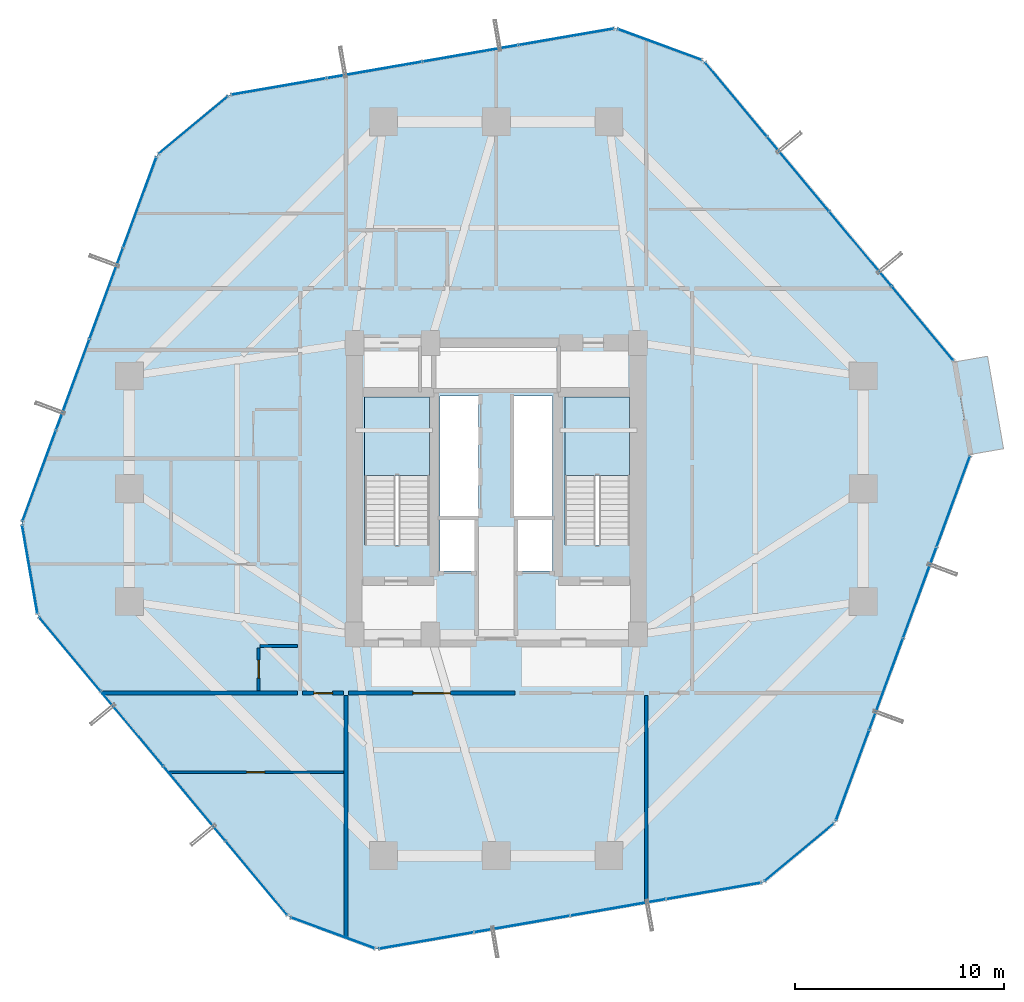
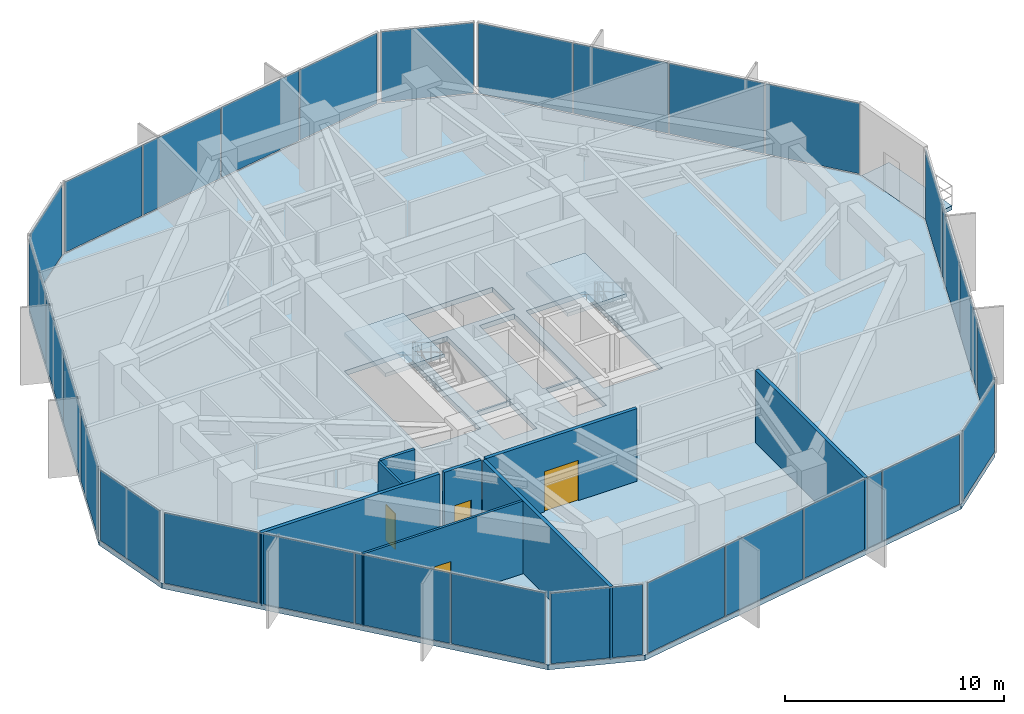
# One storey, part 30 of 35: 29 plates, 8 walls, 4 doors, 4 slabs, 4 openings, 13 elements without a shape of their own.
"""IFC4 building model written with IfcOpenShell, lengths in metres."""

from ifc_helpers import new_model, si_unit, direction, frame, frame_2d, origin, origin_2d, place, context, subcontext, project, spatial, polyline, rectangle, outline, extrude, source, transform, mapped, material, layer, layer_set, type_object, element, fill, aggregate, save


model = new_model("IFC4")

# Units and contexts
model_context = context("Model", 3, precision=1e-05, world=origin(), true_north=direction((0.0, 1.0)))
body_context = subcontext(model_context, "Body", "Model", "MODEL_VIEW")
ifc_project = project(units=[si_unit("LENGTHUNIT", "METRE"), si_unit("AREAUNIT", "SQUARE_METRE"), si_unit("VOLUMEUNIT", "CUBIC_METRE"), si_unit("PLANEANGLEUNIT", "RADIAN"), si_unit("MASSUNIT", "GRAM", prefix="KILO")], contexts=[model_context])

# Site, building, storey
site_placement = place(None, origin())
site = spatial("IfcSite", under=ifc_project, at=site_placement, CompositionType="ELEMENT")
building_placement = place(site_placement, origin())
building = spatial("IfcBuilding", under=site, at=building_placement, Name="Veraguas Prism Commons", CompositionType="ELEMENT")
storey_placement = place(building_placement, frame((0.0, 0.0, 56.550048828125)))
storey = spatial("IfcBuildingStorey", under=building, at=storey_placement, Name="L15", CompositionType="ELEMENT", Elevation=56.550048828125)

# Slab
ifc_material_1 = material(Name="Concrete C45/55", Category="concrete")
ifc_layer_1 = layer(ifc_material_1, 0.280029296875, Name="Community Assembly Floor Slab RC 280", Category="concrete")
ifc_layer_set_1 = layer_set([ifc_layer_1], Name="Concrete C45/55")
slab_type_1 = type_object("IfcSlabType", Name="Community Assembly Floor Slab RC 280", PredefinedType="FLOOR", material=ifc_layer_set_1)
slab_1_placement = place(storey_placement, frame((0.0, 0.0, -0.280029296875)))
element("IfcSlab", 1, at=slab_1_placement, inside=storey, type_object=slab_type_1, Name="Tower Floor Slab L15", PredefinedType="FLOOR", context=body_context, shape_type="SweptSolid", body=[
    extrude(outline(polyline([(46.752685546875, 25.646728515625), (45.98681640625, 30.0810546875), (33.9501953125, 44.52783203125), (29.72705078125, 46.08154296875), (11.197509765625, 42.881103515625), (7.740234375, 40.00048828125), (1.247314453125, 22.353271484375), (2.01318359375, 17.9189453125), (14.0498046875, 3.47216796875), (18.27294921875, 1.91845703125), (36.802490234375, 5.118896484375), (40.259765625, 7.99951171875), (46.752685546875, 25.646728515625)]), holes=[polyline([(20.800048828125, 21.31005859375), (20.800048828125, 28.39990234375), (17.68994140625, 28.39990234375), (17.68994140625, 21.31005859375), (20.800048828125, 21.31005859375)]), polyline([(30.39990234375, 21.31005859375), (30.39990234375, 28.39990234375), (27.2900390625, 28.39990234375), (27.2900390625, 21.31005859375), (30.39990234375, 21.31005859375)]), polyline([(21.300048828125, 22.64990234375), (23.14990234375, 22.64990234375), (23.14990234375, 28.449951171875), (21.300048828125, 28.449951171875), (21.300048828125, 22.64990234375)]), polyline([(24.85009765625, 22.64990234375), (26.699951171875, 22.64990234375), (26.699951171875, 28.449951171875), (24.85009765625, 28.449951171875), (24.85009765625, 22.64990234375)]), polyline([(21.10009765625, 28.800048828125), (26.89990234375, 28.800048828125), (26.89990234375, 30.800048828125), (21.10009765625, 30.800048828125), (21.10009765625, 28.800048828125)]), polyline([(21.300048828125, 20.050048828125), (23.050048828125, 20.050048828125), (23.050048828125, 22.550048828125), (21.300048828125, 22.550048828125), (21.300048828125, 20.050048828125)]), polyline([(24.949951171875, 20.050048828125), (26.699951171875, 20.050048828125), (26.699951171875, 22.550048828125), (24.949951171875, 22.550048828125), (24.949951171875, 20.050048828125)])]), origin(), (0.0, 0.0, 1.0), 0.280029296875),
])

# Stair, slab
ifc_material_2 = material(Name="Precast concrete C45/55", Category="concrete")
stair_type = type_object("IfcStairType", Name="Dogleg Core Stair 1480W 26R 06", PredefinedType="HALF_TURN_STAIR", material=ifc_material_2)
stair_1_placement = place(storey_placement, origin())
stair_1 = element("IfcStair", 2, at=stair_1_placement, inside=storey, type_object=stair_type, Name="Protected Exit Stair ST-01 L15", PredefinedType="HALF_TURN_STAIR")
ifc_layer_2 = layer(ifc_material_2, 0.199951171875, Name="Precast Stair and Ramp Landing Slab 200", Category="concrete")
ifc_layer_set_2 = layer_set([ifc_layer_2], Name="Precast concrete C45/55")
slab_type_2 = type_object("IfcSlabType", Name="Precast Stair and Ramp Landing Slab 200", PredefinedType="LANDING", material=ifc_layer_set_2)
slab_2_placement = place(storey_placement, frame((0.0, 0.0, 1.949951171875)))
slab_2 = element("IfcSlab", 3, at=slab_2_placement, type_object=slab_type_2, Name="ST-06 Landing 1", PredefinedType="LANDING", context=body_context, shape_type="SweptSolid", body=[
    extrude(outline(polyline([(20.800048828125, 24.639892578125), (20.800048828125, 28.39990234375), (17.68994140625, 28.39990234375), (17.68994140625, 24.639892578125), (20.800048828125, 24.639892578125)])), origin(), (0.0, 0.0, 1.0), 0.199951171875),
])
aggregate(stair_1, [slab_2])

stair_2_placement = place(storey_placement, origin())
stair_2 = element("IfcStair", 4, at=stair_2_placement, inside=storey, type_object=stair_type, Name="Protected Exit Stair ST-02 L15", PredefinedType="HALF_TURN_STAIR")
slab_3_placement = place(storey_placement, frame((0.0, 0.0, 1.949951171875)))
slab_3 = element("IfcSlab", 5, at=slab_3_placement, type_object=slab_type_2, Name="ST-06 Landing 1", PredefinedType="LANDING", context=body_context, shape_type="SweptSolid", body=[
    extrude(outline(polyline([(30.39990234375, 24.639892578125), (30.39990234375, 28.39990234375), (27.2900390625, 28.39990234375), (27.2900390625, 24.639892578125), (30.39990234375, 24.639892578125)])), origin(), (0.0, 0.0, 1.0), 0.199951171875),
])
aggregate(stair_2, [slab_3])

# Slab
ifc_layer_3 = layer(ifc_material_1, 0.219970703125, Name="Recessed Loggia and Terrace Slab RC 220", Category="concrete")
ifc_layer_set_3 = layer_set([ifc_layer_3], Name="Concrete C45/55")
slab_type_3 = type_object("IfcSlabType", Name="Recessed Loggia and Terrace Slab RC 220", PredefinedType="FLOOR", material=ifc_layer_set_3)
slab_4_placement = place(storey_placement, frame((0.0, 0.0, -0.219970703125)))
element("IfcSlab", 6, at=slab_4_placement, inside=storey, type_object=slab_type_3, Name="Recessed Corner Loggia L15-C1", PredefinedType="FLOOR", context=body_context, shape_type="SweptSolid", body=[
    extrude(outline(polyline([(46.73291015625, 25.643310546875), (48.329345703125, 25.919189453125), (47.563232421875, 30.353515625), (45.967041015625, 30.07763671875), (46.73291015625, 25.643310546875)])), origin(), (0.0, 0.0, 1.0), 0.219970703125),
])

# Curtain wall, plates
ifc_material_3 = material(Name="Anodised aluminium EN AW-6063 T6", Category="aluminium")
ifc_layer_4 = layer(ifc_material_3, 0.199951171875, Name="Sky Lobby and Pool Acoustic Curtain Wall", Category="aluminium")
ifc_layer_set_4 = layer_set([ifc_layer_4], Name="Anodised aluminium EN AW-6063 T6")
curtain_wall_type = type_object("IfcCurtainWallType", Name="Sky Lobby and Pool Acoustic Curtain Wall", PredefinedType="NOTDEFINED", material=ifc_layer_set_4)
curtain_wall_1_placement = place(storey_placement, origin())
curtain_wall_1 = element("IfcCurtainWall", 7, at=curtain_wall_1_placement, inside=storey, type_object=curtain_wall_type, Name="Tower Facade Curtain Wall L15-F1", PredefinedType="NOTDEFINED")
ifc_material_4 = material(Name="Laminated low-e glass", Category="glass")
ifc_layer_5 = layer(ifc_material_4, 0.031982421875, Name="Concourse Acoustic Triple Glazed Panel 32", Category="glass")
ifc_layer_set_5 = layer_set([ifc_layer_5], Name="Laminated low-e glass")
plate_type = type_object("IfcPlateType", Name="Concourse Acoustic Triple Glazed Panel 32", PredefinedType="CURTAIN_PANEL", material=ifc_layer_set_5)
shared_shape_1 = source(origin(), body_context, "Body", "SweptSolid", [
    extrude(rectangle(XDim=4.573486328125, YDim=0.031982421875, at=origin_2d()), origin(), (0.0, 0.0, 1.0), 3.929931640625),
])
plate_1_placement = place(storey_placement, frame((44.44287109375, 31.93408203125, 0.06005859375), z_axis=(0.0, 0.0, 1.0), x_axis=(-0.640109699485, 0.768283523594, 0.0)))
plate_1 = element("IfcPlate", 8, at=plate_1_placement, type_object=plate_type, Name="CW-SKY Panel 1.1", PredefinedType="CURTAIN_PANEL", context=body_context, shape_type="MappedRepresentation", body=[
    mapped(shared_shape_1, transform((0.0, 0.0, 0.0), scale=1.0)),
])
plate_2_placement = place(storey_placement, frame((35.493896484375, 42.6748046875, 0.06005859375), z_axis=(0.0, 0.0, 1.0), x_axis=(-0.640109699485, 0.768283523594, 0.0)))
plate_2 = element("IfcPlate", 9, at=plate_2_placement, type_object=plate_type, Name="CW-SKY Panel 4.1", PredefinedType="CURTAIN_PANEL", context=body_context, shape_type="MappedRepresentation", body=[
    mapped(shared_shape_1, transform((0.0, 0.0, 0.0), scale=1.0)),
])

curtain_wall_2_placement = place(storey_placement, origin())
curtain_wall_2 = element("IfcCurtainWall", 10, at=curtain_wall_2_placement, inside=storey, type_object=curtain_wall_type, Name="Tower Facade Curtain Wall L15-F2", PredefinedType="NOTDEFINED")
plate_3_placement = place(storey_placement, frame((27.3505859375, 45.671142578125, 0.06005859375), z_axis=(0.0, 0.0, 1.0), x_axis=(-0.985407898483, -0.170209499166, 0.0)))
plate_3 = element("IfcPlate", 11, at=plate_3_placement, type_object=plate_type, Name="CW-SKY Panel 1.1", PredefinedType="CURTAIN_PANEL", context=body_context, shape_type="MappedRepresentation", body=[
    mapped(shared_shape_1, transform((0.0, 0.0, 0.0), scale=1.0)),
])
plate_4_placement = place(storey_placement, frame((13.573974609375, 43.29150390625, 0.06005859375), z_axis=(0.0, 0.0, 1.0), x_axis=(-0.985407898483, -0.170209499166, 0.0)))
plate_4 = element("IfcPlate", 12, at=plate_4_placement, type_object=plate_type, Name="CW-SKY Panel 4.1", PredefinedType="CURTAIN_PANEL", context=body_context, shape_type="MappedRepresentation", body=[
    mapped(shared_shape_1, transform((0.0, 0.0, 0.0), scale=1.0)),
])

curtain_wall_3_placement = place(storey_placement, origin())
curtain_wall_3 = element("IfcCurtainWall", 13, at=curtain_wall_3_placement, inside=storey, type_object=curtain_wall_type, Name="Tower Facade Curtain Wall L15-F3", PredefinedType="NOTDEFINED")
plate_5_placement = place(storey_placement, frame((6.907470703125, 37.737060546875, 0.06005859375), z_axis=(0.0, 0.0, 1.0), x_axis=(-0.345301474955, -0.938491817436, 0.0)))
plate_5 = element("IfcPlate", 14, at=plate_5_placement, type_object=plate_type, Name="CW-SKY Panel 1.1", PredefinedType="CURTAIN_PANEL", context=body_context, shape_type="MappedRepresentation", body=[
    mapped(shared_shape_1, transform((0.0, 0.0, 0.0), scale=1.0)),
])
plate_6_placement = place(storey_placement, frame((2.080078125, 24.61669921875, 0.06005859375), z_axis=(0.0, 0.0, 1.0), x_axis=(-0.345301474955, -0.938491817436, 0.0)))
plate_6 = element("IfcPlate", 15, at=plate_6_placement, type_object=plate_type, Name="CW-SKY Panel 4.1", PredefinedType="CURTAIN_PANEL", context=body_context, shape_type="MappedRepresentation", body=[
    mapped(shared_shape_1, transform((0.0, 0.0, 0.0), scale=1.0)),
])

curtain_wall_4_placement = place(storey_placement, origin())
curtain_wall_4 = element("IfcCurtainWall", 16, at=curtain_wall_4_placement, inside=storey, type_object=curtain_wall_type, Name="Tower Facade Curtain Wall L15-F4", PredefinedType="NOTDEFINED")
plate_7_placement = place(storey_placement, frame((3.55712890625, 16.06591796875, 0.06005859375), z_axis=(0.0, 0.0, 1.0), x_axis=(0.640109699485, -0.768283523594, 0.0)))
plate_7 = element("IfcPlate", 17, at=plate_7_placement, type_object=plate_type, Name="CW-SKY Panel 1.1", PredefinedType="CURTAIN_PANEL", context=body_context, shape_type="MappedRepresentation", body=[
    mapped(shared_shape_1, transform((0.0, 0.0, 0.0), scale=1.0)),
])
plate_8_placement = place(storey_placement, frame((12.506103515625, 5.3251953125, 0.06005859375), z_axis=(0.0, 0.0, 1.0), x_axis=(0.640109699485, -0.768283523594, 0.0)))
plate_8 = element("IfcPlate", 18, at=plate_8_placement, type_object=plate_type, Name="CW-SKY Panel 4.1", PredefinedType="CURTAIN_PANEL", context=body_context, shape_type="MappedRepresentation", body=[
    mapped(shared_shape_1, transform((0.0, 0.0, 0.0), scale=1.0)),
])

curtain_wall_5_placement = place(storey_placement, origin())
curtain_wall_5 = element("IfcCurtainWall", 19, at=curtain_wall_5_placement, inside=storey, type_object=curtain_wall_type, Name="Tower Facade Curtain Wall L15-F5", PredefinedType="NOTDEFINED")
plate_9_placement = place(storey_placement, frame((20.6494140625, 2.328857421875, 0.06005859375), z_axis=(0.0, 0.0, 1.0), x_axis=(0.985407898483, 0.170209499166, 0.0)))
plate_9 = element("IfcPlate", 20, at=plate_9_placement, type_object=plate_type, Name="CW-SKY Panel 1.1", PredefinedType="CURTAIN_PANEL", context=body_context, shape_type="MappedRepresentation", body=[
    mapped(shared_shape_1, transform((0.0, 0.0, 0.0), scale=1.0)),
])
plate_10_placement = place(storey_placement, frame((34.426025390625, 4.70849609375, 0.06005859375), z_axis=(0.0, 0.0, 1.0), x_axis=(0.985407898483, 0.170209499166, 0.0)))
plate_10 = element("IfcPlate", 21, at=plate_10_placement, type_object=plate_type, Name="CW-SKY Panel 4.1", PredefinedType="CURTAIN_PANEL", context=body_context, shape_type="MappedRepresentation", body=[
    mapped(shared_shape_1, transform((0.0, 0.0, 0.0), scale=1.0)),
])

curtain_wall_6_placement = place(storey_placement, origin())
curtain_wall_6 = element("IfcCurtainWall", 22, at=curtain_wall_6_placement, inside=storey, type_object=curtain_wall_type, Name="Tower Facade Curtain Wall L15-F6", PredefinedType="NOTDEFINED")
plate_11_placement = place(storey_placement, frame((41.092529296875, 10.262939453125, 0.06005859375), z_axis=(0.0, 0.0, 1.0), x_axis=(0.345301474955, 0.938491817436, 0.0)))
plate_11 = element("IfcPlate", 23, at=plate_11_placement, type_object=plate_type, Name="CW-SKY Panel 1.1", PredefinedType="CURTAIN_PANEL", context=body_context, shape_type="MappedRepresentation", body=[
    mapped(shared_shape_1, transform((0.0, 0.0, 0.0), scale=1.0)),
])
plate_12_placement = place(storey_placement, frame((45.919921875, 23.38330078125, 0.06005859375), z_axis=(0.0, 0.0, 1.0), x_axis=(0.345301474955, 0.938491817436, 0.0)))
plate_12 = element("IfcPlate", 24, at=plate_12_placement, type_object=plate_type, Name="CW-SKY Panel 4.1", PredefinedType="CURTAIN_PANEL", context=body_context, shape_type="MappedRepresentation", body=[
    mapped(shared_shape_1, transform((0.0, 0.0, 0.0), scale=1.0)),
])

# Plate
shared_shape_2 = source(origin(), body_context, "Body", "SweptSolid", [
    extrude(rectangle(XDim=4.60595703125, YDim=0.031982421875, at=origin_2d()), origin(), (0.0, 0.0, 1.0), 3.929931640625),
])
plate_13_placement = place(storey_placement, frame((41.46337890625, 35.51025390625, 0.06005859375), z_axis=(0.0, 0.0, 1.0), x_axis=(-0.640109699485, 0.768283523594, 0.0)))
plate_13 = element("IfcPlate", 25, at=plate_13_placement, type_object=plate_type, Name="CW-SKY Panel 2.1", PredefinedType="CURTAIN_PANEL", context=body_context, shape_type="MappedRepresentation", body=[
    mapped(shared_shape_2, transform((0.0, 0.0, 0.0), scale=1.0)),
])

plate_14_placement = place(storey_placement, frame((38.473388671875, 39.098876953125, 0.06005859375), z_axis=(0.0, 0.0, 1.0), x_axis=(-0.640109699485, 0.768283523594, 0.0)))
plate_14 = element("IfcPlate", 26, at=plate_14_placement, type_object=plate_type, Name="CW-SKY Panel 3.1", PredefinedType="CURTAIN_PANEL", context=body_context, shape_type="MappedRepresentation", body=[
    mapped(shared_shape_2, transform((0.0, 0.0, 0.0), scale=1.0)),
])

aggregate(curtain_wall_1, [plate_1, plate_13, plate_14, plate_2])

plate_15_placement = place(storey_placement, frame((22.763671875, 44.87890625, 0.06005859375), z_axis=(0.0, 0.0, 1.0), x_axis=(-0.985407898483, -0.170209499166, 0.0)))
plate_15 = element("IfcPlate", 27, at=plate_15_placement, type_object=plate_type, Name="CW-SKY Panel 2.1", PredefinedType="CURTAIN_PANEL", context=body_context, shape_type="MappedRepresentation", body=[
    mapped(shared_shape_2, transform((0.0, 0.0, 0.0), scale=1.0)),
])

plate_16_placement = place(storey_placement, frame((18.160888671875, 44.083740234375, 0.06005859375), z_axis=(0.0, 0.0, 1.0), x_axis=(-0.985407898483, -0.170209499166, 0.0)))
plate_16 = element("IfcPlate", 28, at=plate_16_placement, type_object=plate_type, Name="CW-SKY Panel 3.1", PredefinedType="CURTAIN_PANEL", context=body_context, shape_type="MappedRepresentation", body=[
    mapped(shared_shape_2, transform((0.0, 0.0, 0.0), scale=1.0)),
])

aggregate(curtain_wall_2, [plate_3, plate_15, plate_16, plate_4])

plate_17_placement = place(storey_placement, frame((5.30029296875, 33.36865234375, 0.06005859375), z_axis=(0.0, 0.0, 1.0), x_axis=(-0.345301474955, -0.938491817436, 0.0)))
plate_17 = element("IfcPlate", 29, at=plate_17_placement, type_object=plate_type, Name="CW-SKY Panel 2.1", PredefinedType="CURTAIN_PANEL", context=body_context, shape_type="MappedRepresentation", body=[
    mapped(shared_shape_2, transform((0.0, 0.0, 0.0), scale=1.0)),
])

plate_18_placement = place(storey_placement, frame((3.687255859375, 28.985107421875, 0.06005859375), z_axis=(0.0, 0.0, 1.0), x_axis=(-0.345301474955, -0.938491817436, 0.0)))
plate_18 = element("IfcPlate", 30, at=plate_18_placement, type_object=plate_type, Name="CW-SKY Panel 3.1", PredefinedType="CURTAIN_PANEL", context=body_context, shape_type="MappedRepresentation", body=[
    mapped(shared_shape_2, transform((0.0, 0.0, 0.0), scale=1.0)),
])

aggregate(curtain_wall_3, [plate_5, plate_17, plate_18, plate_6])

plate_19_placement = place(storey_placement, frame((6.53662109375, 12.48974609375, 0.06005859375), z_axis=(0.0, 0.0, 1.0), x_axis=(0.640109699485, -0.768283523594, 0.0)))
plate_19 = element("IfcPlate", 31, at=plate_19_placement, type_object=plate_type, Name="CW-SKY Panel 2.1", PredefinedType="CURTAIN_PANEL", context=body_context, shape_type="MappedRepresentation", body=[
    mapped(shared_shape_2, transform((0.0, 0.0, 0.0), scale=1.0)),
])

plate_20_placement = place(storey_placement, frame((9.526611328125, 8.901123046875, 0.06005859375), z_axis=(0.0, 0.0, 1.0), x_axis=(0.640109699485, -0.768283523594, 0.0)))
plate_20 = element("IfcPlate", 32, at=plate_20_placement, type_object=plate_type, Name="CW-SKY Panel 3.1", PredefinedType="CURTAIN_PANEL", context=body_context, shape_type="MappedRepresentation", body=[
    mapped(shared_shape_2, transform((0.0, 0.0, 0.0), scale=1.0)),
])

aggregate(curtain_wall_4, [plate_7, plate_19, plate_20, plate_8])

plate_21_placement = place(storey_placement, frame((25.236328125, 3.12109375, 0.06005859375), z_axis=(0.0, 0.0, 1.0), x_axis=(0.985407898483, 0.170209499166, 0.0)))
plate_21 = element("IfcPlate", 33, at=plate_21_placement, type_object=plate_type, Name="CW-SKY Panel 2.1", PredefinedType="CURTAIN_PANEL", context=body_context, shape_type="MappedRepresentation", body=[
    mapped(shared_shape_2, transform((0.0, 0.0, 0.0), scale=1.0)),
])

plate_22_placement = place(storey_placement, frame((29.839111328125, 3.916259765625, 0.06005859375), z_axis=(0.0, 0.0, 1.0), x_axis=(0.985407898483, 0.170209499166, 0.0)))
plate_22 = element("IfcPlate", 34, at=plate_22_placement, type_object=plate_type, Name="CW-SKY Panel 3.1", PredefinedType="CURTAIN_PANEL", context=body_context, shape_type="MappedRepresentation", body=[
    mapped(shared_shape_2, transform((0.0, 0.0, 0.0), scale=1.0)),
])

aggregate(curtain_wall_5, [plate_9, plate_21, plate_22, plate_10])

plate_23_placement = place(storey_placement, frame((42.69970703125, 14.63134765625, 0.06005859375), z_axis=(0.0, 0.0, 1.0), x_axis=(0.345301474955, 0.938491817436, 0.0)))
plate_23 = element("IfcPlate", 35, at=plate_23_placement, type_object=plate_type, Name="CW-SKY Panel 2.1", PredefinedType="CURTAIN_PANEL", context=body_context, shape_type="MappedRepresentation", body=[
    mapped(shared_shape_2, transform((0.0, 0.0, 0.0), scale=1.0)),
])

plate_24_placement = place(storey_placement, frame((44.312744140625, 19.014892578125, 0.06005859375), z_axis=(0.0, 0.0, 1.0), x_axis=(0.345301474955, 0.938491817436, 0.0)))
plate_24 = element("IfcPlate", 36, at=plate_24_placement, type_object=plate_type, Name="CW-SKY Panel 3.1", PredefinedType="CURTAIN_PANEL", context=body_context, shape_type="MappedRepresentation", body=[
    mapped(shared_shape_2, transform((0.0, 0.0, 0.0), scale=1.0)),
])

aggregate(curtain_wall_6, [plate_11, plate_23, plate_24, plate_12])

# Curtain wall, plate
curtain_wall_7_placement = place(storey_placement, origin())
curtain_wall_7 = element("IfcCurtainWall", 37, at=curtain_wall_7_placement, inside=storey, type_object=curtain_wall_type, Name="Chamfer Curtain Wall L15-C2", PredefinedType="NOTDEFINED")
shared_shape_3 = source(origin(), body_context, "Body", "SweptSolid", [
    extrude(rectangle(XDim=4.25, YDim=0.031982421875, at=origin_2d()), origin(), (0.0, 0.0, 1.0), 3.929931640625),
])
plate_25_placement = place(storey_placement, frame((31.838623046875, 45.3046875, 0.06005859375), z_axis=(0.0, 0.0, 1.0), x_axis=(-0.938493625417, 0.345296561019, 0.0)))
plate_25 = element("IfcPlate", 38, at=plate_25_placement, type_object=plate_type, Name="CW-SKY Panel 1.1", PredefinedType="CURTAIN_PANEL", context=body_context, shape_type="MappedRepresentation", body=[
    mapped(shared_shape_3, transform((0.0, 0.0, 0.0), scale=1.0)),
])
aggregate(curtain_wall_7, [plate_25])

curtain_wall_8_placement = place(storey_placement, origin())
curtain_wall_8 = element("IfcCurtainWall", 39, at=curtain_wall_8_placement, inside=storey, type_object=curtain_wall_type, Name="Chamfer Curtain Wall L15-C3", PredefinedType="NOTDEFINED")
plate_26_placement = place(storey_placement, frame((9.468994140625, 41.440673828125, 0.06005859375), z_axis=(0.0, 0.0, 1.0), x_axis=(-0.768273468679, -0.640121767575, 0.0)))
plate_26 = element("IfcPlate", 40, at=plate_26_placement, type_object=plate_type, Name="CW-SKY Panel 1.1", PredefinedType="CURTAIN_PANEL", context=body_context, shape_type="MappedRepresentation", body=[
    mapped(shared_shape_3, transform((0.0, 0.0, 0.0), scale=1.0)),
])
aggregate(curtain_wall_8, [plate_26])

curtain_wall_9_placement = place(storey_placement, origin())
curtain_wall_9 = element("IfcCurtainWall", 41, at=curtain_wall_9_placement, inside=storey, type_object=curtain_wall_type, Name="Chamfer Curtain Wall L15-C4", PredefinedType="NOTDEFINED")
plate_27_placement = place(storey_placement, frame((1.63037109375, 20.135986328125, 0.06005859375), z_axis=(0.0, 0.0, 1.0), x_axis=(0.170226697752, -0.985404927617, 0.0)))
plate_27 = element("IfcPlate", 42, at=plate_27_placement, type_object=plate_type, Name="CW-SKY Panel 1.1", PredefinedType="CURTAIN_PANEL", context=body_context, shape_type="MappedRepresentation", body=[
    mapped(shared_shape_3, transform((0.0, 0.0, 0.0), scale=1.0)),
])
aggregate(curtain_wall_9, [plate_27])

curtain_wall_10_placement = place(storey_placement, origin())
curtain_wall_10 = element("IfcCurtainWall", 43, at=curtain_wall_10_placement, inside=storey, type_object=curtain_wall_type, Name="Chamfer Curtain Wall L15-C5", PredefinedType="NOTDEFINED")
plate_28_placement = place(storey_placement, frame((16.161376953125, 2.6953125, 0.06005859375), z_axis=(0.0, 0.0, 1.0), x_axis=(0.938493625417, -0.345296561019, 0.0)))
plate_28 = element("IfcPlate", 44, at=plate_28_placement, type_object=plate_type, Name="CW-SKY Panel 1.1", PredefinedType="CURTAIN_PANEL", context=body_context, shape_type="MappedRepresentation", body=[
    mapped(shared_shape_3, transform((0.0, 0.0, 0.0), scale=1.0)),
])
aggregate(curtain_wall_10, [plate_28])

curtain_wall_11_placement = place(storey_placement, origin())
curtain_wall_11 = element("IfcCurtainWall", 45, at=curtain_wall_11_placement, inside=storey, type_object=curtain_wall_type, Name="Chamfer Curtain Wall L15-C6", PredefinedType="NOTDEFINED")
plate_29_placement = place(storey_placement, frame((38.531005859375, 6.559326171875, 0.06005859375), z_axis=(0.0, 0.0, 1.0), x_axis=(0.768273468679, 0.640121767575, 0.0)))
plate_29 = element("IfcPlate", 46, at=plate_29_placement, type_object=plate_type, Name="CW-SKY Panel 1.1", PredefinedType="CURTAIN_PANEL", context=body_context, shape_type="MappedRepresentation", body=[
    mapped(shared_shape_3, transform((0.0, 0.0, 0.0), scale=1.0)),
])
aggregate(curtain_wall_11, [plate_29])

# Walls
ifc_material_5 = material(Name="Autoclaved aerated masonry block 10 MPa", Category="masonry")
ifc_layer_6 = layer(ifc_material_5, 0.179931640625, Name="Corridor and Inter-Tenancy Partition 180", Category="masonry")
ifc_layer_set_6 = layer_set([ifc_layer_6], Name="Autoclaved aerated masonry block 10 MPa")
wall_type_1 = type_object("IfcWallType", Name="Corridor and Inter-Tenancy Partition 180", PredefinedType="PARTITIONING", material=ifc_layer_set_6)
wall_1_placement = place(storey_placement, frame((16.800048828125, 14.080078125, 0.0), z_axis=(0.0, 0.0, 1.0), x_axis=(0.0, -1.0, 0.0)))
element("IfcWall", 47, at=wall_1_placement, inside=storey, type_object=wall_type_1, Name="WL-L15-PT001", PredefinedType="PARTITIONING", context=body_context, shape_type="SweptSolid", body=[
    extrude(rectangle(XDim=11.651611328125, YDim=0.179931640625, at=frame_2d((5.82568359375, 0.0))), origin(), (0.0, 0.0, 1.0), 4.050048828125),
])
wall_2_placement = place(storey_placement, frame((31.199951171875, 14.080078125, 0.0), z_axis=(0.0, 0.0, 1.0), x_axis=(0.0, -1.0, 0.0)))
element("IfcWall", 48, at=wall_2_placement, inside=storey, type_object=wall_type_1, Name="WL-L15-PT002", PredefinedType="PARTITIONING", context=body_context, shape_type="SweptSolid", body=[
    extrude(rectangle(XDim=9.959228515625, YDim=0.179931640625, at=frame_2d((4.9794921875, 0.0))), origin(), (0.0, 0.0, 1.0), 4.050048828125),
])

# Wall, opening, door
wall_3_placement = place(storey_placement, frame((16.909912109375, 14.199951171875, 0.0), z_axis=(0.0, 0.0, 1.0), x_axis=(1.0, 0.0, 0.0)))
wall_3 = element("IfcWall", 49, at=wall_3_placement, inside=storey, type_object=wall_type_1, Name="WL-L15-PT003", PredefinedType="PARTITIONING", context=body_context, shape_type="SweptSolid", body=[
    extrude(rectangle(XDim=7.988037109375, YDim=0.179931640625, at=frame_2d((3.994140625, 0.0))), origin(), (0.0, 0.0, 1.0), 4.050048828125),
])
opening_1_placement = place(wall_3_placement, frame((3.093994140625, 0.0, 0.0)))
opening_1 = element("IfcOpeningElement", 50, at=opening_1_placement, cuts=wall_3, Name="Opening DR-07", PredefinedType="OPENING", context=body_context, shape_type="SweptSolid", body=[
    extrude(rectangle(XDim=1.800048828125, YDim=2.25, at=frame_2d((0.89990234375, 1.125))), frame((0.0, 0.099853515625, 0.0), z_axis=(0.0, -1.0, 0.0), x_axis=(1.0, 0.0, 0.0)), (0.0, 0.0, 1.0), 0.199951171875),
])
ifc_material_6 = material(Name="Steel fire-rated door assembly", Category="steel")
door_type_1 = type_object("IfcDoorType", Name="Corridor Double Fire Door 1800x2250", OperationType="NOTDEFINED", PredefinedType="DOOR", material=ifc_material_6)
shared_shape_4 = source(origin(), body_context, "Body", "SweptSolid", [
    extrude(rectangle(XDim=1.800048828125, YDim=2.25, at=frame_2d((0.89990234375, 1.125))), frame((0.0, 0.02490234375, 0.0), z_axis=(0.0, -1.0, 0.0), x_axis=(1.0, 0.0, 0.0)), (0.0, 0.0, 1.0), 0.050048828125),
])
door_1_placement = place(opening_1_placement, origin())
door_1 = element("IfcDoor", 51, at=door_1_placement, inside=storey, type_object=door_type_1, Name="Community Multipurpose Assembly Hall Door 1", OperationType="SINGLE_SWING_RIGHT", OverallHeight=2.25, OverallWidth=1.800048828125, PredefinedType="DOOR", context=body_context, shape_type="MappedRepresentation", body=[
    mapped(shared_shape_4, transform((0.0, 0.0, 0.0), scale=1.0)),
])
fill(opening_1, door_1)

# Wall
wall_4_placement = place(storey_placement, frame((14.47998046875, 14.199951171875, 0.0), z_axis=(0.0, 0.0, 1.0), x_axis=(-1.0, 0.0, 0.0)))
element("IfcWall", 52, at=wall_4_placement, inside=storey, type_object=wall_type_1, Name="WL-L15-PT016", PredefinedType="PARTITIONING", context=body_context, shape_type="SweptSolid", body=[
    extrude(rectangle(XDim=9.4072265625, YDim=0.179931640625, at=frame_2d((4.70361328125, 0.0))), origin(), (0.0, 0.0, 1.0), 4.050048828125),
])

# Wall, opening, door
wall_5_placement = place(storey_placement, frame((14.719970703125, 14.199951171875, 0.0), z_axis=(0.0, 0.0, 1.0), x_axis=(1.0, 0.0, 0.0)))
wall_5 = element("IfcWall", 53, at=wall_5_placement, inside=storey, type_object=wall_type_1, Name="WL-L15-PT036", PredefinedType="PARTITIONING", context=body_context, shape_type="SweptSolid", body=[
    extrude(rectangle(XDim=1.9599609375, YDim=0.179931640625, at=frame_2d((0.97998046875, 0.0))), origin(), (0.0, 0.0, 1.0), 4.050048828125),
])
opening_2_placement = place(wall_5_placement, frame((0.530029296875, 0.0, 0.0)))
opening_2 = element("IfcOpeningElement", 54, at=opening_2_placement, cuts=wall_5, Name="Opening DR-14", PredefinedType="OPENING", context=body_context, shape_type="SweptSolid", body=[
    extrude(rectangle(XDim=0.89990234375, YDim=2.010009765625, at=frame_2d((0.449951171875, 1.0048828125))), frame((0.0, 0.099853515625, 0.0), z_axis=(0.0, -1.0, 0.0), x_axis=(1.0, 0.0, 0.0)), (0.0, 0.0, 1.0), 0.199951171875),
])
door_type_2 = type_object("IfcDoorType", Name="Core Service Room Fire Door 900x2010", OperationType="NOTDEFINED", PredefinedType="DOOR", material=ifc_material_6)
shared_shape_5 = source(origin(), body_context, "Body", "SweptSolid", [
    extrude(rectangle(XDim=0.89990234375, YDim=2.010009765625, at=frame_2d((0.449951171875, 1.0048828125))), frame((0.0, 0.02490234375, 0.0), z_axis=(0.0, -1.0, 0.0), x_axis=(1.0, 0.0, 0.0)), (0.0, 0.0, 1.0), 0.050048828125),
])
door_2_placement = place(opening_2_placement, origin())
door_2 = element("IfcDoor", 55, at=door_2_placement, inside=storey, type_object=door_type_2, Name="Community Co-op Kitchen Door", OperationType="SINGLE_SWING_RIGHT", OverallHeight=2.010009765625, OverallWidth=0.89990234375, PredefinedType="DOOR", context=body_context, shape_type="MappedRepresentation", body=[
    mapped(shared_shape_5, transform((0.0, 0.0, 0.0), scale=1.0)),
])
fill(opening_2, door_2)

ifc_material_7 = material(Name="Lightweight acoustic gypsum board")
ifc_layer_7 = layer(ifc_material_7, 0.125, Name="Internal Apartment Room Partition 125")
ifc_layer_set_7 = layer_set([ifc_layer_7], Name="Lightweight acoustic gypsum board")
wall_type_2 = type_object("IfcWallType", Name="Internal Apartment Room Partition 125", PredefinedType="PARTITIONING", material=ifc_layer_set_7)
wall_6_placement = place(storey_placement, frame((12.60009765625, 14.320068359375, 0.0), z_axis=(0.0, 0.0, 1.0), x_axis=(0.0, 1.0, 0.0)))
wall_6 = element("IfcWall", 56, at=wall_6_placement, inside=storey, type_object=wall_type_2, Name="WL-L15-PT020", PredefinedType="PARTITIONING", context=body_context, shape_type="SweptSolid", body=[
    extrude(rectangle(XDim=2.050048828125, YDim=0.125, at=frame_2d((1.02490234375, 0.0))), origin(), (0.0, 0.0, 1.0), 4.050048828125),
])
opening_3_placement = place(wall_6_placement, frame((0.594970703125, 0.0, 0.0)))
opening_3 = element("IfcOpeningElement", 57, at=opening_3_placement, cuts=wall_6, Name="Opening DR-03", PredefinedType="OPENING", context=body_context, shape_type="SweptSolid", body=[
    extrude(rectangle(XDim=0.860107421875, YDim=2.010009765625, at=frame_2d((0.43017578125, 1.0048828125))), frame((0.0, 0.072509765625, 0.0), z_axis=(0.0, -1.0, 0.0), x_axis=(1.0, 0.0, 0.0)), (0.0, 0.0, 1.0), 0.14501953125),
])
ifc_material_8 = material(Name="Timber moisture-resistant leaf", Category="wood")
door_type_3 = type_object("IfcDoorType", Name="Internal Bathroom Door 860x2010", OperationType="NOTDEFINED", PredefinedType="DOOR", material=ifc_material_8)
shared_shape_6 = source(origin(), body_context, "Body", "SweptSolid", [
    extrude(rectangle(XDim=0.860107421875, YDim=2.010009765625, at=frame_2d((0.43017578125, 1.0048828125))), frame((0.0, 0.02490234375, 0.0), z_axis=(0.0, -1.0, 0.0), x_axis=(1.0, 0.0, 0.0)), (0.0, 0.0, 1.0), 0.050048828125),
])
door_3_placement = place(opening_3_placement, origin())
door_3 = element("IfcDoor", 58, at=door_3_placement, inside=storey, type_object=door_type_3, Name="Flat 15A Bathroom Door", OperationType="SINGLE_SWING_LEFT", OverallHeight=2.010009765625, OverallWidth=0.860107421875, PredefinedType="DOOR", context=body_context, shape_type="MappedRepresentation", body=[
    mapped(shared_shape_6, transform((0.0, 0.0, 0.0), scale=1.0)),
])
fill(opening_3, door_3)

wall_7_placement = place(storey_placement, frame((8.23876953125, 10.39990234375, 0.0), z_axis=(0.0, 0.0, 1.0), x_axis=(1.0, 0.0, 0.0)))
wall_7 = element("IfcWall", 59, at=wall_7_placement, inside=storey, type_object=wall_type_2, Name="WL-L15-PT037", PredefinedType="PARTITIONING", context=body_context, shape_type="SweptSolid", body=[
    extrude(rectangle(XDim=8.441162109375, YDim=0.125, at=frame_2d((4.220703125, 0.0))), origin(), (0.0, 0.0, 1.0), 4.050048828125),
])
opening_4_placement = place(wall_7_placement, frame((3.79052734375, 0.0, 0.0)))
opening_4 = element("IfcOpeningElement", 60, at=opening_4_placement, cuts=wall_7, Name="Opening DR-03", PredefinedType="OPENING", context=body_context, shape_type="SweptSolid", body=[
    extrude(rectangle(XDim=0.860107421875, YDim=2.010009765625, at=frame_2d((0.43017578125, 1.0048828125))), frame((0.0, 0.072509765625, 0.0), z_axis=(0.0, -1.0, 0.0), x_axis=(1.0, 0.0, 0.0)), (0.0, 0.0, 1.0), 0.14501953125),
])
door_4_placement = place(opening_4_placement, origin())
door_4 = element("IfcDoor", 61, at=door_4_placement, inside=storey, type_object=door_type_3, Name="Corner Store SW Door", OperationType="SINGLE_SWING_LEFT", OverallHeight=2.010009765625, OverallWidth=0.860107421875, PredefinedType="DOOR", context=body_context, shape_type="MappedRepresentation", body=[
    mapped(shared_shape_6, transform((0.0, 0.0, 0.0), scale=1.0)),
])
fill(opening_4, door_4)

# Wall
ifc_layer_8 = layer(ifc_material_7, 0.14990234375, Name="Wet Room and Clinic Acoustic Partition 150")
ifc_layer_set_8 = layer_set([ifc_layer_8], Name="Lightweight acoustic gypsum board")
wall_type_3 = type_object("IfcWallType", Name="Wet Room and Clinic Acoustic Partition 150", PredefinedType="PARTITIONING", material=ifc_layer_set_8)
wall_8_placement = place(storey_placement, frame((14.47998046875, 16.449951171875, 0.0), z_axis=(0.0, 0.0, 1.0), x_axis=(-1.0, 0.0, 0.0)))
element("IfcWall", 62, at=wall_8_placement, inside=storey, type_object=wall_type_3, Name="WL-L15-PT019", PredefinedType="PARTITIONING", context=body_context, shape_type="SweptSolid", body=[
    extrude(rectangle(XDim=1.800048828125, YDim=0.14990234375, at=frame_2d((0.89990234375, 0.0))), origin(), (0.0, 0.0, 1.0), 4.050048828125),
])

save(model, "model.ifc")
